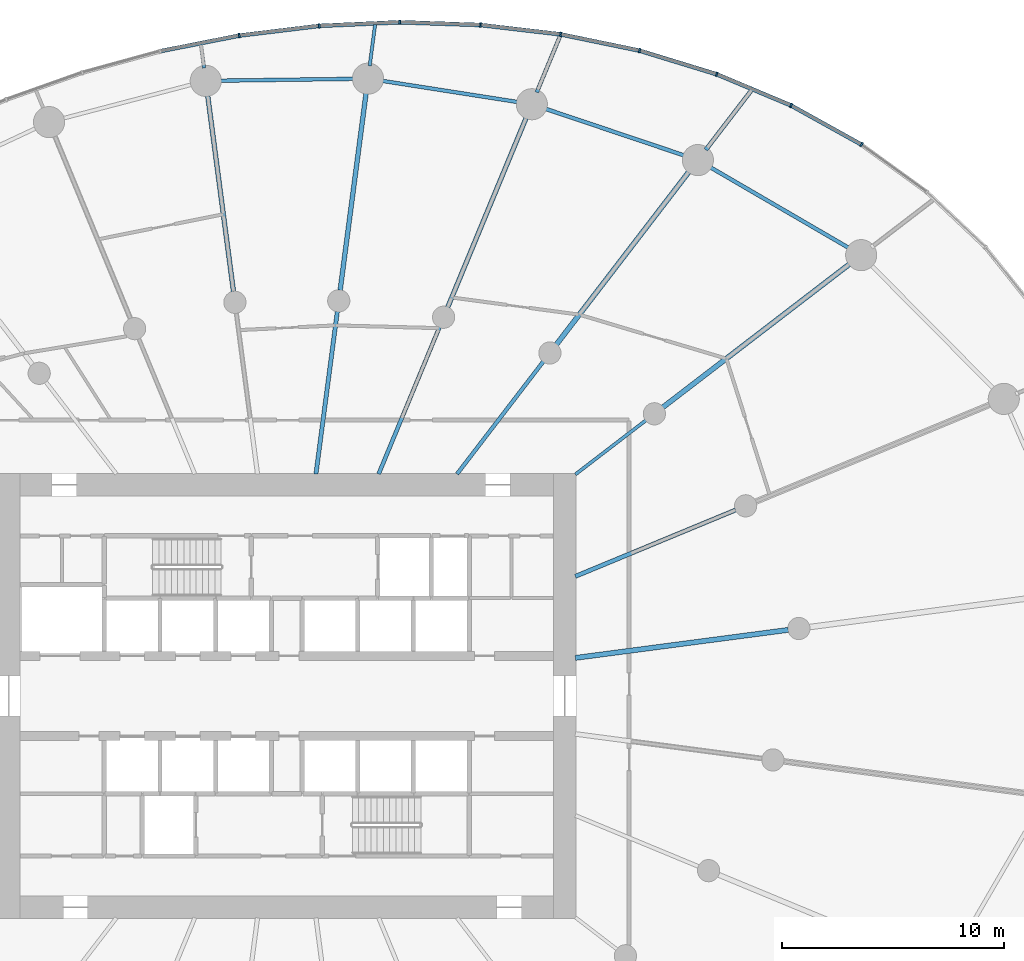
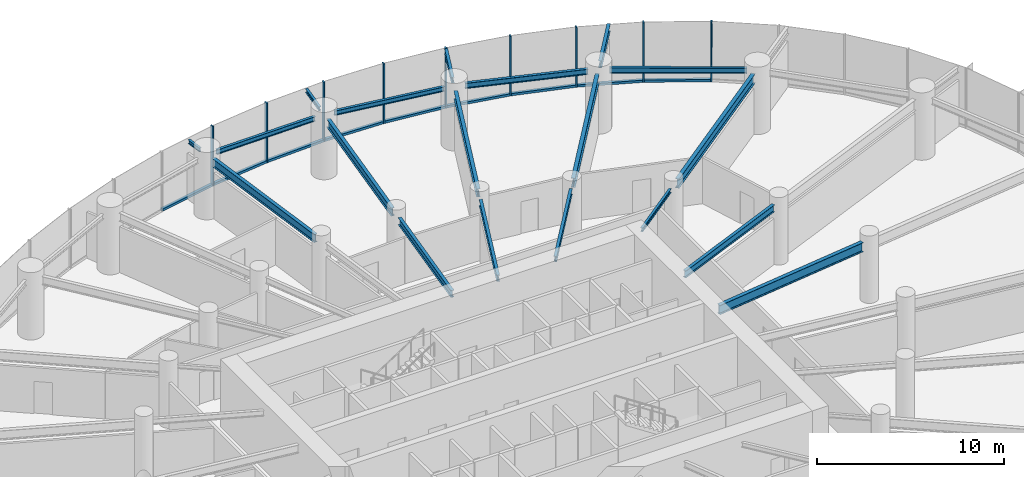
# One storey, part 7 of 18: 19 beams, 18 members, 3 elements without a shape of their own.
"""IFC4 building model written with IfcOpenShell, lengths in metres."""

from ifc_helpers import new_model, si_unit, direction, frame, origin, origin_2d, place, context, subcontext, project, spatial, rectangle, i_section, extrude, source, transform, mapped, material, layer, layer_set, material_profile, profile_set, type_object, element, aggregate, save


model = new_model("IFC4")

# Units and contexts
model_context = context("Model", 3, precision=1e-05, world=origin(), true_north=direction((0.0, 1.0)))
body_context = subcontext(model_context, "Body", "Model", "MODEL_VIEW")
ifc_project = project(units=[si_unit("LENGTHUNIT", "METRE"), si_unit("AREAUNIT", "SQUARE_METRE"), si_unit("VOLUMEUNIT", "CUBIC_METRE"), si_unit("PLANEANGLEUNIT", "RADIAN"), si_unit("MASSUNIT", "GRAM", prefix="KILO")], contexts=[model_context])

# Site, building, storey
site_placement = place(None, origin())
site = spatial("IfcSite", under=ifc_project, at=site_placement, CompositionType="ELEMENT")
building_placement = place(site_placement, origin())
building = spatial("IfcBuilding", under=site, at=building_placement, Name="Spindrift Exchange Tower", CompositionType="ELEMENT")
storey_placement = place(building_placement, frame((0.0, 0.0, 71.0)))
storey = spatial("IfcBuildingStorey", under=building, at=storey_placement, Name="L16", CompositionType="ELEMENT", Elevation=71.0)

# Beams
ifc_material_1 = material(Name="Steel Grade 300", Category="steel")
ifc_material_profile_1 = material_profile(ifc_material_1, i_section(OverallWidth=0.22802734375, OverallDepth=0.60693359375, WebThickness=0.01123046875, FlangeThickness=0.017333984375, FilletRadius=0.013916015625, at=origin_2d()), Name="610UB113")
ifc_profile_set_1 = profile_set([ifc_material_profile_1], Name="Steel Grade 300")
beam_type_1 = type_object("IfcBeamType", Name="Floor Beam 610UB113 Steel Grade 300", PredefinedType="BEAM", material=ifc_profile_set_1)
shared_shape_1 = source(origin(), body_context, "Body", "SweptSolid", [
    extrude(i_section(OverallWidth=0.22802734375, OverallDepth=0.60693359375, WebThickness=0.01123046875, FlangeThickness=0.017333984375, FilletRadius=0.013916015625, at=origin_2d()), origin(), (0.0, 0.0, 1.0), 9.660400390625),
])
beam_1_placement = place(storey_placement, frame((64.980224609375, 49.708984375, 3.596435546875), z_axis=(0.99144767089, 0.130504850054, 0.0), x_axis=(-0.130504850054, 0.99144767089, 0.0)))
element("IfcBeam", 1, at=beam_1_placement, inside=storey, type_object=beam_type_1, Name="L16 radial beam R01A", PredefinedType="BEAM", context=body_context, shape_type="MappedRepresentation", body=[
    mapped(shared_shape_1, transform((0.0, 0.0, 0.0), scale=1.0)),
])
ifc_material_profile_2 = material_profile(ifc_material_1, i_section(OverallWidth=0.18994140625, OverallDepth=0.45703125, WebThickness=0.009033203125, FlangeThickness=0.014404296875, FilletRadius=0.013916015625, at=origin_2d()), Name="460UB74.6")
ifc_profile_set_2 = profile_set([ifc_material_profile_2], Name="Steel Grade 300")
beam_type_2 = type_object("IfcBeamType", Name="Floor Beam 460UB74.6 Steel Grade 300", PredefinedType="BEAM", material=ifc_profile_set_2)
shared_shape_2 = source(origin(), body_context, "Body", "SweptSolid", [
    extrude(i_section(OverallWidth=0.18994140625, OverallDepth=0.45703125, WebThickness=0.009033203125, FlangeThickness=0.014404296875, FilletRadius=0.013916015625, at=origin_2d()), origin(), (0.0, 0.0, 1.0), 7.808837890625),
])
beam_2_placement = place(storey_placement, frame((64.9814453125, 53.377197265625, 3.67138671875), z_axis=(0.92387965154, 0.382683145003, 0.0), x_axis=(-0.382683145003, 0.92387965154, 0.0)))
element("IfcBeam", 2, at=beam_2_placement, inside=storey, type_object=beam_type_2, Name="L16 radial beam R02A", PredefinedType="BEAM", context=body_context, shape_type="MappedRepresentation", body=[
    mapped(shared_shape_2, transform((0.0, 0.0, 0.0), scale=1.0)),
])
ifc_material_profile_3 = material_profile(ifc_material_1, i_section(OverallWidth=0.14599609375, OverallDepth=0.251953125, WebThickness=0.006103515625, FlangeThickness=0.008544921875, FilletRadius=0.011962890625, at=origin_2d()), Name="250UB31.4")
ifc_profile_set_3 = profile_set([ifc_material_profile_3], Name="Steel Grade 300")
beam_type_3 = type_object("IfcBeamType", Name="Floor Beam 250UB31.4 Steel Grade 300", PredefinedType="BEAM", material=ifc_profile_set_3)
shared_shape_3 = source(origin(), body_context, "Body", "SweptSolid", [
    extrude(i_section(OverallWidth=0.14599609375, OverallDepth=0.251953125, WebThickness=0.006103515625, FlangeThickness=0.008544921875, FilletRadius=0.011962890625, at=origin_2d()), origin(), (0.0, 0.0, 1.0), 3.99560546875),
])
beam_3_placement = place(storey_placement, frame((64.984130859375, 57.963134765625, 3.77392578125), z_axis=(0.793352561574, 0.608762443851, 0.0), x_axis=(-0.608762443851, 0.793352561574, 0.0)))
element("IfcBeam", 3, at=beam_3_placement, inside=storey, type_object=beam_type_3, Name="L16 radial beam R03A", PredefinedType="BEAM", context=body_context, shape_type="MappedRepresentation", body=[
    mapped(shared_shape_3, transform((0.0, 0.0, 0.0), scale=1.0)),
])
shared_shape_4 = source(origin(), body_context, "Body", "SweptSolid", [
    extrude(i_section(OverallWidth=0.22802734375, OverallDepth=0.60693359375, WebThickness=0.01123046875, FlangeThickness=0.017333984375, FilletRadius=0.013916015625, at=origin_2d()), origin(), (0.0, 0.0, 1.0), 10.66357421875),
])
beam_4_placement = place(storey_placement, frame((68.91552734375, 60.979736328125, 3.596435546875), z_axis=(0.793357926757, 0.608755451764, 0.0), x_axis=(-0.608755451764, 0.793357926757, 0.0)))
element("IfcBeam", 4, at=beam_4_placement, inside=storey, type_object=beam_type_1, Name="L16 radial beam R03B", PredefinedType="BEAM", context=body_context, shape_type="MappedRepresentation", body=[
    mapped(shared_shape_4, transform((0.0, 0.0, 0.0), scale=1.0)),
])
ifc_material_profile_4 = material_profile(ifc_material_1, i_section(OverallWidth=0.172119140625, OverallDepth=0.35888671875, WebThickness=0.008056640625, FlangeThickness=0.012939453125, FilletRadius=0.013916015625, at=origin_2d()), Name="360UB56.7")
ifc_profile_set_4 = profile_set([ifc_material_profile_4], Name="Steel Grade 300")
beam_type_4 = type_object("IfcBeamType", Name="Floor Beam 360UB56.7 Steel Grade 300", PredefinedType="BEAM", material=ifc_profile_set_4)
shared_shape_5 = source(origin(), body_context, "Body", "SweptSolid", [
    extrude(i_section(OverallWidth=0.172119140625, OverallDepth=0.35888671875, WebThickness=0.008056640625, FlangeThickness=0.012939453125, FilletRadius=0.013916015625, at=origin_2d()), origin(), (0.0, 0.0, 1.0), 6.37646484375),
])
beam_5_placement = place(storey_placement, frame((59.6611328125, 57.984130859375, 3.720458984375), z_axis=(0.608766669952, 0.793349318747, 0.0), x_axis=(-0.793349318747, 0.608766669952, 0.0)))
element("IfcBeam", 5, at=beam_5_placement, inside=storey, type_object=beam_type_4, Name="L16 radial beam R04A", PredefinedType="BEAM", context=body_context, shape_type="MappedRepresentation", body=[
    mapped(shared_shape_5, transform((0.0, 0.0, 0.0), scale=1.0)),
])
shared_shape_6 = source(origin(), body_context, "Body", "SweptSolid", [
    extrude(i_section(OverallWidth=0.22802734375, OverallDepth=0.60693359375, WebThickness=0.01123046875, FlangeThickness=0.017333984375, FilletRadius=0.013916015625, at=origin_2d()), origin(), (0.0, 0.0, 1.0), 9.87548828125),
])
beam_6_placement = place(storey_placement, frame((64.127197265625, 63.8046875, 3.596435546875), z_axis=(0.608772470836, 0.793344867477, 0.0), x_axis=(-0.793344867477, 0.608772470836, 0.0)))
element("IfcBeam", 6, at=beam_6_placement, inside=storey, type_object=beam_type_1, Name="L16 radial beam R04B", PredefinedType="BEAM", context=body_context, shape_type="MappedRepresentation", body=[
    mapped(shared_shape_6, transform((0.0, 0.0, 0.0), scale=1.0)),
])
ifc_material_profile_5 = material_profile(ifc_material_1, i_section(OverallWidth=0.177978515625, OverallDepth=0.406005859375, WebThickness=0.0078125, FlangeThickness=0.0126953125, FilletRadius=0.013916015625, at=origin_2d()), Name="410UB59.7")
ifc_profile_set_5 = profile_set([ifc_material_profile_5], Name="Steel Grade 300")
beam_type_5 = type_object("IfcBeamType", Name="Floor Beam 410UB59.7 Steel Grade 300", PredefinedType="BEAM", material=ifc_profile_set_5)
shared_shape_7 = source(origin(), body_context, "Body", "SweptSolid", [
    extrude(i_section(OverallWidth=0.177978515625, OverallDepth=0.406005859375, WebThickness=0.0078125, FlangeThickness=0.0126953125, FilletRadius=0.013916015625, at=origin_2d()), origin(), (0.0, 0.0, 1.0), 7.150634765625),
])
beam_7_placement = place(storey_placement, frame((56.134521484375, 57.9814453125, 3.697021484375), z_axis=(0.382665393358, 0.923887004306, 0.0), x_axis=(-0.923887004306, 0.382665393358, 0.0)))
element("IfcBeam", 7, at=beam_7_placement, inside=storey, type_object=beam_type_5, Name="L16 radial beam R05A", PredefinedType="BEAM", context=body_context, shape_type="MappedRepresentation", body=[
    mapped(shared_shape_7, transform((0.0, 0.0, 0.0), scale=1.0)),
])
ifc_material_profile_6 = material_profile(ifc_material_1, i_section(OverallWidth=0.208984375, OverallDepth=0.532958984375, WebThickness=0.01025390625, FlangeThickness=0.015625, FilletRadius=0.013916015625, at=origin_2d()), Name="530UB92.4")
ifc_profile_set_6 = profile_set([ifc_material_profile_6], Name="Steel Grade 300")
beam_type_6 = type_object("IfcBeamType", Name="Floor Beam 530UB92.4 Steel Grade 300", PredefinedType="BEAM", material=ifc_profile_set_6)
shared_shape_8 = source(origin(), body_context, "Body", "SweptSolid", [
    extrude(i_section(OverallWidth=0.208984375, OverallDepth=0.532958984375, WebThickness=0.01025390625, FlangeThickness=0.015625, FilletRadius=0.013916015625, at=origin_2d()), origin(), (0.0, 0.0, 1.0), 9.309326171875),
])
beam_8_placement = place(storey_placement, frame((59.23828125, 65.474853515625, 3.633544921875), z_axis=(0.382685326691, 0.923878747853, 0.0), x_axis=(-0.923878747853, 0.382685326691, 0.0)))
element("IfcBeam", 8, at=beam_8_placement, inside=storey, type_object=beam_type_6, Name="L16 radial beam R05B", PredefinedType="BEAM", context=body_context, shape_type="MappedRepresentation", body=[
    mapped(shared_shape_8, transform((0.0, 0.0, 0.0), scale=1.0)),
])
shared_shape_9 = source(origin(), body_context, "Body", "SweptSolid", [
    extrude(i_section(OverallWidth=0.18994140625, OverallDepth=0.45703125, WebThickness=0.009033203125, FlangeThickness=0.014404296875, FilletRadius=0.013916015625, at=origin_2d()), origin(), (0.0, 0.0, 1.0), 7.374267578125),
])
beam_9_placement = place(storey_placement, frame((53.31396484375, 57.980224609375, 3.67138671875), z_axis=(0.130539295622, 0.99144313619, 0.0), x_axis=(-0.99144313619, 0.130539295622, 0.0)))
element("IfcBeam", 9, at=beam_9_placement, inside=storey, type_object=beam_type_2, Name="L16 radial beam R06A", PredefinedType="BEAM", context=body_context, shape_type="MappedRepresentation", body=[
    mapped(shared_shape_9, transform((0.0, 0.0, 0.0), scale=1.0)),
])
shared_shape_10 = source(origin(), body_context, "Body", "SweptSolid", [
    extrude(i_section(OverallWidth=0.208984375, OverallDepth=0.532958984375, WebThickness=0.01025390625, FlangeThickness=0.015625, FilletRadius=0.013916015625, at=origin_2d()), origin(), (0.0, 0.0, 1.0), 9.020263671875),
])
beam_10_placement = place(storey_placement, frame((54.40185546875, 66.2431640625, 3.633544921875), z_axis=(0.13051122338, 0.991446831944, 0.0), x_axis=(-0.991446831944, 0.13051122338, 0.0)))
element("IfcBeam", 10, at=beam_10_placement, inside=storey, type_object=beam_type_6, Name="L16 radial beam R06B", PredefinedType="BEAM", context=body_context, shape_type="MappedRepresentation", body=[
    mapped(shared_shape_10, transform((0.0, 0.0, 0.0), scale=1.0)),
])
shared_shape_11 = source(origin(), body_context, "Body", "SweptSolid", [
    extrude(i_section(OverallWidth=0.208984375, OverallDepth=0.532958984375, WebThickness=0.01025390625, FlangeThickness=0.015625, FilletRadius=0.013916015625, at=origin_2d()), origin(), (0.0, 0.0, 1.0), 8.98388671875),
])
beam_11_placement = place(storey_placement, frame((49.606689453125, 66.17919921875, 3.633544921875), z_axis=(-0.130524106785, 0.991445135924, 0.0), x_axis=(-0.991445135924, -0.130524106785, 0.0)))
element("IfcBeam", 11, at=beam_11_placement, inside=storey, type_object=beam_type_6, Name="L16 radial beam R07B", PredefinedType="BEAM", context=body_context, shape_type="MappedRepresentation", body=[
    mapped(shared_shape_11, transform((0.0, 0.0, 0.0), scale=1.0)),
])
ifc_material_profile_7 = material_profile(ifc_material_1, i_section(OverallWidth=0.172119140625, OverallDepth=0.35888671875, WebThickness=0.008056640625, FlangeThickness=0.012939453125, FilletRadius=0.013916015625, at=origin_2d()), Name="360UB56.7")
ifc_profile_set_7 = profile_set([ifc_material_profile_7], Name="Steel Grade 300")
beam_type_7 = type_object("IfcBeamType", Name="Edge Beam 360UB56.7 Steel Grade 300", PredefinedType="SPANDREL", material=ifc_profile_set_7)
shared_shape_12 = source(origin(), body_context, "Body", "SweptSolid", [
    extrude(i_section(OverallWidth=0.172119140625, OverallDepth=0.35888671875, WebThickness=0.008056640625, FlangeThickness=0.012939453125, FilletRadius=0.013916015625, at=origin_2d()), origin(), (0.0, 0.0, 1.0), 7.33740234375),
])
beam_12_placement = place(storey_placement, frame((77.33447265625, 68.1162109375, 3.720458984375), z_axis=(-0.864211826308, 0.503128134047, 0.0), x_axis=(-0.503128134047, -0.864211826308, 0.0)))
element("IfcBeam", 12, at=beam_12_placement, inside=storey, type_object=beam_type_7, Name="L16 edge beam E03", PredefinedType="SPANDREL", context=body_context, shape_type="MappedRepresentation", body=[
    mapped(shared_shape_12, transform((0.0, 0.0, 0.0), scale=1.0)),
])
shared_shape_13 = source(origin(), body_context, "Body", "SweptSolid", [
    extrude(i_section(OverallWidth=0.172119140625, OverallDepth=0.35888671875, WebThickness=0.008056640625, FlangeThickness=0.012939453125, FilletRadius=0.013916015625, at=origin_2d()), origin(), (0.0, 0.0, 1.0), 6.72021484375),
])
beam_13_placement = place(storey_placement, frame((69.9423828125, 72.28466796875, 3.720458984375), z_axis=(-0.947851749681, 0.318711563372, 0.0), x_axis=(-0.318711563372, -0.947851749681, 0.0)))
element("IfcBeam", 13, at=beam_13_placement, inside=storey, type_object=beam_type_7, Name="L16 edge beam E04", PredefinedType="SPANDREL", context=body_context, shape_type="MappedRepresentation", body=[
    mapped(shared_shape_13, transform((0.0, 0.0, 0.0), scale=1.0)),
])
ifc_material_profile_8 = material_profile(ifc_material_1, i_section(OverallWidth=0.1650390625, OverallDepth=0.303955078125, WebThickness=0.006103515625, FlangeThickness=0.01025390625, FilletRadius=0.011474609375, at=origin_2d()), Name="310UB40.4")
ifc_profile_set_8 = profile_set([ifc_material_profile_8], Name="Steel Grade 300")
beam_type_8 = type_object("IfcBeamType", Name="Edge Beam 310UB40.4 Steel Grade 300", PredefinedType="SPANDREL", material=ifc_profile_set_8)
shared_shape_14 = source(origin(), body_context, "Body", "SweptSolid", [
    extrude(i_section(OverallWidth=0.1650390625, OverallDepth=0.303955078125, WebThickness=0.006103515625, FlangeThickness=0.01025390625, FilletRadius=0.011474609375, at=origin_2d()), origin(), (0.0, 0.0, 1.0), 6.297119140625),
])
beam_14_placement = place(storey_placement, frame((62.44970703125, 74.70068359375, 3.748046875), z_axis=(-0.98802902915, 0.154268070436, 0.0), x_axis=(-0.154268070436, -0.98802902915, 0.0)))
element("IfcBeam", 14, at=beam_14_placement, inside=storey, type_object=beam_type_8, Name="L16 edge beam E05", PredefinedType="SPANDREL", context=body_context, shape_type="MappedRepresentation", body=[
    mapped(shared_shape_14, transform((0.0, 0.0, 0.0), scale=1.0)),
])
shared_shape_15 = source(origin(), body_context, "Body", "SweptSolid", [
    extrude(i_section(OverallWidth=0.1650390625, OverallDepth=0.303955078125, WebThickness=0.006103515625, FlangeThickness=0.01025390625, FilletRadius=0.011474609375, at=origin_2d()), origin(), (0.0, 0.0, 1.0), 6.13720703125),
])
beam_15_placement = place(storey_placement, frame((55.074951171875, 75.75341796875, 3.748046875), z_axis=(-0.999905820907, -0.013724041543, 0.0), x_axis=(0.013724041543, -0.999905820907, 0.0)))
element("IfcBeam", 15, at=beam_15_placement, inside=storey, type_object=beam_type_8, Name="L16 edge beam E06", PredefinedType="SPANDREL", context=body_context, shape_type="MappedRepresentation", body=[
    mapped(shared_shape_15, transform((0.0, 0.0, 0.0), scale=1.0)),
])
ifc_material_profile_9 = material_profile(ifc_material_1, i_section(OverallWidth=0.18994140625, OverallDepth=0.45703125, WebThickness=0.009033203125, FlangeThickness=0.014404296875, FilletRadius=0.013916015625, at=origin_2d()), Name="460UB74.6")
ifc_profile_set_9 = profile_set([ifc_material_profile_9], Name="Steel Grade 300")
beam_type_9 = type_object("IfcBeamType", Name="Cantilever Beam 460UB74.6 Steel Grade 300", PredefinedType="BEAM", material=ifc_profile_set_9)
shared_shape_16 = source(origin(), body_context, "Body", "SweptSolid", [
    extrude(i_section(OverallWidth=0.18994140625, OverallDepth=0.45703125, WebThickness=0.009033203125, FlangeThickness=0.014404296875, FilletRadius=0.013916015625, at=origin_2d()), origin(), (0.0, 0.0, 1.0), 3.521728515625),
])
beam_16_placement = place(storey_placement, frame((70.845458984375, 72.559814453125, 3.67138671875), z_axis=(0.608748772801, 0.793363051581, 0.0), x_axis=(-0.793363051581, 0.608748772801, 0.0)))
element("IfcBeam", 16, at=beam_16_placement, inside=storey, type_object=beam_type_9, Name="L16 cantilever beam R04T", PredefinedType="BEAM", context=body_context, shape_type="MappedRepresentation", body=[
    mapped(shared_shape_16, transform((0.0, 0.0, 0.0), scale=1.0)),
])
ifc_material_profile_10 = material_profile(ifc_material_1, i_section(OverallWidth=0.172119140625, OverallDepth=0.35888671875, WebThickness=0.008056640625, FlangeThickness=0.012939453125, FilletRadius=0.013916015625, at=origin_2d()), Name="360UB56.7")
ifc_profile_set_10 = profile_set([ifc_material_profile_10], Name="Steel Grade 300")
beam_type_10 = type_object("IfcBeamType", Name="Cantilever Beam 360UB56.7 Steel Grade 300", PredefinedType="BEAM", material=ifc_profile_set_10)
shared_shape_17 = source(origin(), body_context, "Body", "SweptSolid", [
    extrude(i_section(OverallWidth=0.172119140625, OverallDepth=0.35888671875, WebThickness=0.008056640625, FlangeThickness=0.012939453125, FilletRadius=0.013916015625, at=origin_2d()), origin(), (0.0, 0.0, 1.0), 2.8154296875),
])
beam_17_placement = place(storey_placement, frame((63.244873046875, 75.147216796875, 3.720458984375), z_axis=(0.382681116099, 0.923880491937, 0.0), x_axis=(-0.923880491937, 0.382681116099, 0.0)))
element("IfcBeam", 17, at=beam_17_placement, inside=storey, type_object=beam_type_10, Name="L16 cantilever beam R05T", PredefinedType="BEAM", context=body_context, shape_type="MappedRepresentation", body=[
    mapped(shared_shape_17, transform((0.0, 0.0, 0.0), scale=1.0)),
])
ifc_material_profile_11 = material_profile(ifc_material_1, i_section(OverallWidth=0.14599609375, OverallDepth=0.251953125, WebThickness=0.006103515625, FlangeThickness=0.008544921875, FilletRadius=0.011962890625, at=origin_2d()), Name="250UB31.4")
ifc_profile_set_11 = profile_set([ifc_material_profile_11], Name="Steel Grade 300")
beam_type_11 = type_object("IfcBeamType", Name="Cantilever Beam 250UB31.4 Steel Grade 300", PredefinedType="BEAM", material=ifc_profile_set_11)
shared_shape_18 = source(origin(), body_context, "Body", "SweptSolid", [
    extrude(i_section(OverallWidth=0.14599609375, OverallDepth=0.251953125, WebThickness=0.006103515625, FlangeThickness=0.008544921875, FilletRadius=0.011962890625, at=origin_2d()), origin(), (0.0, 0.0, 1.0), 1.876220703125),
])
beam_18_placement = place(storey_placement, frame((55.730712890625, 76.33642578125, 3.77392578125), z_axis=(0.130518469058, 0.991445878117, 0.0), x_axis=(-0.991445878117, 0.130518469058, 0.0)))
element("IfcBeam", 18, at=beam_18_placement, inside=storey, type_object=beam_type_11, Name="L16 cantilever beam R06T", PredefinedType="BEAM", context=body_context, shape_type="MappedRepresentation", body=[
    mapped(shared_shape_18, transform((0.0, 0.0, 0.0), scale=1.0)),
])
shared_shape_19 = source(origin(), body_context, "Body", "SweptSolid", [
    extrude(i_section(OverallWidth=0.14599609375, OverallDepth=0.251953125, WebThickness=0.006103515625, FlangeThickness=0.008544921875, FilletRadius=0.011962890625, at=origin_2d()), origin(), (0.0, 0.0, 1.0), 0.993408203125),
])
beam_19_placement = place(storey_placement, frame((48.28271484375, 76.236328125, 3.77392578125), z_axis=(-0.130505373489, 0.991447601989, 0.0), x_axis=(-0.991447601989, -0.130505373489, 0.0)))
element("IfcBeam", 19, at=beam_19_placement, inside=storey, type_object=beam_type_11, Name="L16 cantilever beam R07T", PredefinedType="BEAM", context=body_context, shape_type="MappedRepresentation", body=[
    mapped(shared_shape_19, transform((0.0, 0.0, 0.0), scale=1.0)),
])

# Curtain wall, members
ifc_material_2 = material(Name="Fritted laminated glass with bronze frame", Category="glass")
ifc_layer = layer(ifc_material_2, 0.199951171875)
ifc_layer_set = layer_set([ifc_layer], Name="ZONE 1 BRONZE FRITTED WALL")
curtain_wall_type = type_object("IfcCurtainWallType", Name="ZONE 1 BRONZE FRITTED WALL", PredefinedType="NOTDEFINED", material=ifc_layer_set)
curtain_wall_1_placement = place(storey_placement, origin())
curtain_wall_1 = element("IfcCurtainWall", 20, at=curtain_wall_1_placement, inside=storey, type_object=curtain_wall_type, Name="L16 Zone 1 Bronze Fritted Wall run 2", PredefinedType="NOTDEFINED")
ifc_material_3 = material(Name="Bronze anodised aluminium", Category="aluminium")
ifc_material_profile_12 = material_profile(ifc_material_3, rectangle(XDim=0.179931640625, YDim=0.14990234375, at=origin_2d()), Name="ZONE 1 BRONZE FRITTED WALL TRANSOM 180X150")
ifc_profile_set_12 = profile_set([ifc_material_profile_12], Name="Bronze anodised aluminium")
member_type_1 = type_object("IfcMemberType", Name="ZONE 1 BRONZE FRITTED WALL TRANSOM 180X150", PredefinedType="USERDEFINED", material=ifc_profile_set_12)
shared_shape_20 = source(origin(), body_context, "Body", "SweptSolid", [
    extrude(rectangle(XDim=0.179931640625, YDim=0.14990234375, at=origin_2d()), origin(), (0.0, 0.0, 1.0), 3.546875),
])
member_1_placement = place(storey_placement, frame((71.297119140625, 75.97314453125, 0.074951171875), z_axis=(-0.956251055773, 0.292547292473, 0.0), x_axis=(-0.292547292473, -0.956251055773, 0.0)))
member_1 = element("IfcMember", 21, at=member_1_placement, type_object=member_type_1, Name="L16 transom CW-1.8", ObjectType="TRANSOM", PredefinedType="USERDEFINED", context=body_context, shape_type="MappedRepresentation", body=[
    mapped(shared_shape_20, transform((0.0, 0.0, 0.0), scale=1.0)),
])
shared_shape_21 = source(origin(), body_context, "Body", "SweptSolid", [
    extrude(rectangle(XDim=0.179931640625, YDim=0.14990234375, at=origin_2d()), origin(), (0.0, 0.0, 1.0), 3.54736328125),
])
member_2_placement = place(storey_placement, frame((60.672607421875, 78.177734375, 0.074951171875), z_axis=(-0.9994265789, 0.03386020361, 0.0), x_axis=(-0.03386020361, -0.9994265789, 0.0)))
member_2 = element("IfcMember", 22, at=member_2_placement, type_object=member_type_1, Name="L16 transom CW-1.11", ObjectType="TRANSOM", PredefinedType="USERDEFINED", context=body_context, shape_type="MappedRepresentation", body=[
    mapped(shared_shape_21, transform((0.0, 0.0, 0.0), scale=1.0)),
])
member_3_placement = place(storey_placement, frame((57.04736328125, 78.29736328125, 0.074951171875), z_axis=(-0.998992663644, -0.044873800668, 0.0), x_axis=(0.044873800668, -0.998992663644, 0.0)))
member_3 = element("IfcMember", 23, at=member_3_placement, type_object=member_type_1, Name="L16 transom CW-1.12", ObjectType="TRANSOM", PredefinedType="USERDEFINED", context=body_context, shape_type="MappedRepresentation", body=[
    mapped(shared_shape_21, transform((0.0, 0.0, 0.0), scale=1.0)),
])

curtain_wall_2_placement = place(storey_placement, origin())
curtain_wall_2 = element("IfcCurtainWall", 24, at=curtain_wall_2_placement, inside=storey, type_object=curtain_wall_type, Name="L16 Zone 1 Bronze Fritted Wall run 3", PredefinedType="NOTDEFINED")
member_4_placement = place(storey_placement, frame((53.423828125, 78.131591796875, 0.074951171875), z_axis=(-0.992712091156, -0.120510182447, 0.0), x_axis=(0.120510182447, -0.992712091156, 0.0)))
member_4 = element("IfcMember", 25, at=member_4_placement, type_object=member_type_1, Name="L16 transom CW-1.13", ObjectType="TRANSOM", PredefinedType="USERDEFINED", context=body_context, shape_type="MappedRepresentation", body=[
    mapped(shared_shape_21, transform((0.0, 0.0, 0.0), scale=1.0)),
])
member_5_placement = place(storey_placement, frame((49.823486328125, 77.691650390625, 0.074951171875), z_axis=(-0.981067318594, -0.193667024519, 0.0), x_axis=(0.193667024519, -0.981067318594, 0.0)))
member_5 = element("IfcMember", 26, at=member_5_placement, type_object=member_type_1, Name="L16 transom CW-1.14", ObjectType="TRANSOM", PredefinedType="USERDEFINED", context=body_context, shape_type="MappedRepresentation", body=[
    mapped(shared_shape_21, transform((0.0, 0.0, 0.0), scale=1.0)),
])

# Member
shared_shape_22 = source(origin(), body_context, "Body", "SweptSolid", [
    extrude(rectangle(XDim=0.179931640625, YDim=0.14990234375, at=origin_2d()), origin(), (0.0, 0.0, 1.0), 3.547119140625),
])
member_6_placement = place(storey_placement, frame((67.828125, 77.030517578125, 0.074951171875), z_axis=(-0.979354961093, 0.202148114466, 0.0), x_axis=(-0.202148114466, -0.979354961093, 0.0)))
member_6 = element("IfcMember", 27, at=member_6_placement, type_object=member_type_1, Name="L16 transom CW-1.9", ObjectType="TRANSOM", PredefinedType="USERDEFINED", context=body_context, shape_type="MappedRepresentation", body=[
    mapped(shared_shape_22, transform((0.0, 0.0, 0.0), scale=1.0)),
])

member_7_placement = place(storey_placement, frame((64.275390625, 77.76025390625, 0.074951171875), z_axis=(-0.993244245127, 0.116042533247, 0.0), x_axis=(-0.116042533247, -0.993244245127, 0.0)))
member_7 = element("IfcMember", 28, at=member_7_placement, type_object=member_type_1, Name="L16 transom CW-1.10", ObjectType="TRANSOM", PredefinedType="USERDEFINED", context=body_context, shape_type="MappedRepresentation", body=[
    mapped(shared_shape_22, transform((0.0, 0.0, 0.0), scale=1.0)),
])

# Curtain wall, member
curtain_wall_3_placement = place(storey_placement, origin())
curtain_wall_3 = element("IfcCurtainWall", 29, at=curtain_wall_3_placement, inside=storey, type_object=curtain_wall_type, Name="L16 Zone 1 Bronze Fritted Wall run 1", PredefinedType="NOTDEFINED")
shared_shape_23 = source(origin(), body_context, "Body", "SweptSolid", [
    extrude(rectangle(XDim=0.179931640625, YDim=0.14990234375, at=origin_2d()), origin(), (0.0, 0.0, 1.0), 3.54638671875),
])
member_8_placement = place(storey_placement, frame((77.814208984375, 72.81591796875, 0.074951171875), z_axis=(-0.874215719954, 0.485537717366, 0.0), x_axis=(-0.485537717366, -0.874215719954, 0.0)))
member_8 = element("IfcMember", 30, at=member_8_placement, type_object=member_type_1, Name="L16 transom CW-1.6", ObjectType="TRANSOM", PredefinedType="USERDEFINED", context=body_context, shape_type="MappedRepresentation", body=[
    mapped(shared_shape_23, transform((0.0, 0.0, 0.0), scale=1.0)),
])

# Member
shared_shape_24 = source(origin(), body_context, "Body", "SweptSolid", [
    extrude(rectangle(XDim=0.179931640625, YDim=0.14990234375, at=origin_2d()), origin(), (0.0, 0.0, 1.0), 3.546630859375),
])
member_9_placement = place(storey_placement, frame((74.64208984375, 74.57275390625, 0.074951171875), z_axis=(-0.922018475059, 0.38714587903, 0.0), x_axis=(-0.38714587903, -0.922018475059, 0.0)))
member_9 = element("IfcMember", 31, at=member_9_placement, type_object=member_type_1, Name="L16 transom CW-1.7", ObjectType="TRANSOM", PredefinedType="USERDEFINED", context=body_context, shape_type="MappedRepresentation", body=[
    mapped(shared_shape_24, transform((0.0, 0.0, 0.0), scale=1.0)),
])

ifc_material_profile_13 = material_profile(ifc_material_3, rectangle(XDim=0.080078125, YDim=0.199951171875, at=origin_2d()), Name="ZONE 1 BRONZE FRITTED WALL MULLION 80X200")
ifc_profile_set_13 = profile_set([ifc_material_profile_13], Name="Bronze anodised aluminium")
member_type_2 = type_object("IfcMemberType", Name="ZONE 1 BRONZE FRITTED WALL MULLION 80X200", PredefinedType="MULLION", material=ifc_profile_set_13)
shared_shape_25 = source(origin(), body_context, "Body", "SweptSolid", [
    extrude(rectangle(XDim=0.080078125, YDim=0.199951171875, at=origin_2d()), origin(), (0.0, 0.0, 1.0), 3.89990234375),
])
member_10_placement = place(storey_placement, frame((77.84912109375, 72.79638671875, 0.0), z_axis=(0.0, 0.0, 1.0), x_axis=(-0.84368813193, 0.536833620446, 0.0)))
member_10 = element("IfcMember", 32, at=member_10_placement, type_object=member_type_2, Name="L16 mullion CW-1.6", PredefinedType="MULLION", context=body_context, shape_type="MappedRepresentation", body=[
    mapped(shared_shape_25, transform((0.0, 0.0, 0.0), scale=1.0)),
])

aggregate(curtain_wall_3, [member_10, member_8])

member_11_placement = place(storey_placement, frame((74.678955078125, 74.55712890625, 0.0), z_axis=(0.0, 0.0, 1.0), x_axis=(-0.899449796934, 0.437024098643, 0.0)))
member_11 = element("IfcMember", 33, at=member_11_placement, type_object=member_type_2, Name="L16 mullion CW-1.7", PredefinedType="MULLION", context=body_context, shape_type="MappedRepresentation", body=[
    mapped(shared_shape_25, transform((0.0, 0.0, 0.0), scale=1.0)),
])

member_12_placement = place(storey_placement, frame((71.335205078125, 75.96142578125, 0.0), z_axis=(0.0, 0.0, 1.0), x_axis=(-0.940315841016, 0.340302981379, 0.0)))
member_12 = element("IfcMember", 34, at=member_12_placement, type_object=member_type_2, Name="L16 mullion CW-1.8", PredefinedType="MULLION", context=body_context, shape_type="MappedRepresentation", body=[
    mapped(shared_shape_25, transform((0.0, 0.0, 0.0), scale=1.0)),
])

member_13_placement = place(storey_placement, frame((67.8671875, 77.0224609375, 0.0), z_axis=(0.0, 0.0, 1.0), x_axis=(-0.968857514022, 0.247618895733, 0.0)))
member_13 = element("IfcMember", 35, at=member_13_placement, type_object=member_type_2, Name="L16 mullion CW-1.9", PredefinedType="MULLION", context=body_context, shape_type="MappedRepresentation", body=[
    mapped(shared_shape_25, transform((0.0, 0.0, 0.0), scale=1.0)),
])

member_14_placement = place(storey_placement, frame((64.315185546875, 77.755615234375, 0.0), z_axis=(0.0, 0.0, 1.0), x_axis=(-0.987240664778, 0.159235265596, 0.0)))
member_14 = element("IfcMember", 36, at=member_14_placement, type_object=member_type_2, Name="L16 mullion CW-1.10", PredefinedType="MULLION", context=body_context, shape_type="MappedRepresentation", body=[
    mapped(shared_shape_25, transform((0.0, 0.0, 0.0), scale=1.0)),
])

member_15_placement = place(storey_placement, frame((60.71240234375, 78.176513671875, 0.0), z_axis=(0.0, 0.0, 1.0), x_axis=(-0.997184653119, 0.074985115754, 0.0)))
member_15 = element("IfcMember", 37, at=member_15_placement, type_object=member_type_2, Name="L16 mullion CW-1.11", PredefinedType="MULLION", context=body_context, shape_type="MappedRepresentation", body=[
    mapped(shared_shape_25, transform((0.0, 0.0, 0.0), scale=1.0)),
])

member_16_placement = place(storey_placement, frame((57.08740234375, 78.299072265625, 0.0), z_axis=(0.0, 0.0, 1.0), x_axis=(-0.999984777992, -0.005517588653, 0.0)))
member_16 = element("IfcMember", 38, at=member_16_placement, type_object=member_type_2, Name="L16 mullion CW-1.12", PredefinedType="MULLION", context=body_context, shape_type="MappedRepresentation", body=[
    mapped(shared_shape_25, transform((0.0, 0.0, 0.0), scale=1.0)),
])

aggregate(curtain_wall_1, [member_11, member_9, member_12, member_1, member_13, member_6, member_14, member_7, member_15, member_2, member_16, member_3])

member_17_placement = place(storey_placement, frame((53.463623046875, 78.136474609375, 0.0), z_axis=(0.0, 0.0, 1.0), x_axis=(-0.996572520183, -0.082723708915, 0.0)))
member_17 = element("IfcMember", 39, at=member_17_placement, type_object=member_type_2, Name="L16 mullion CW-1.13", PredefinedType="MULLION", context=body_context, shape_type="MappedRepresentation", body=[
    mapped(shared_shape_25, transform((0.0, 0.0, 0.0), scale=1.0)),
])

member_18_placement = place(storey_placement, frame((49.86279296875, 77.699462890625, 0.0), z_axis=(0.0, 0.0, 1.0), x_axis=(-0.987572776103, -0.157162374315, 0.0)))
member_18 = element("IfcMember", 40, at=member_18_placement, type_object=member_type_2, Name="L16 mullion CW-1.14", PredefinedType="MULLION", context=body_context, shape_type="MappedRepresentation", body=[
    mapped(shared_shape_25, transform((0.0, 0.0, 0.0), scale=1.0)),
])

aggregate(curtain_wall_2, [member_17, member_4, member_18, member_5])

save(model, "model.ifc")
